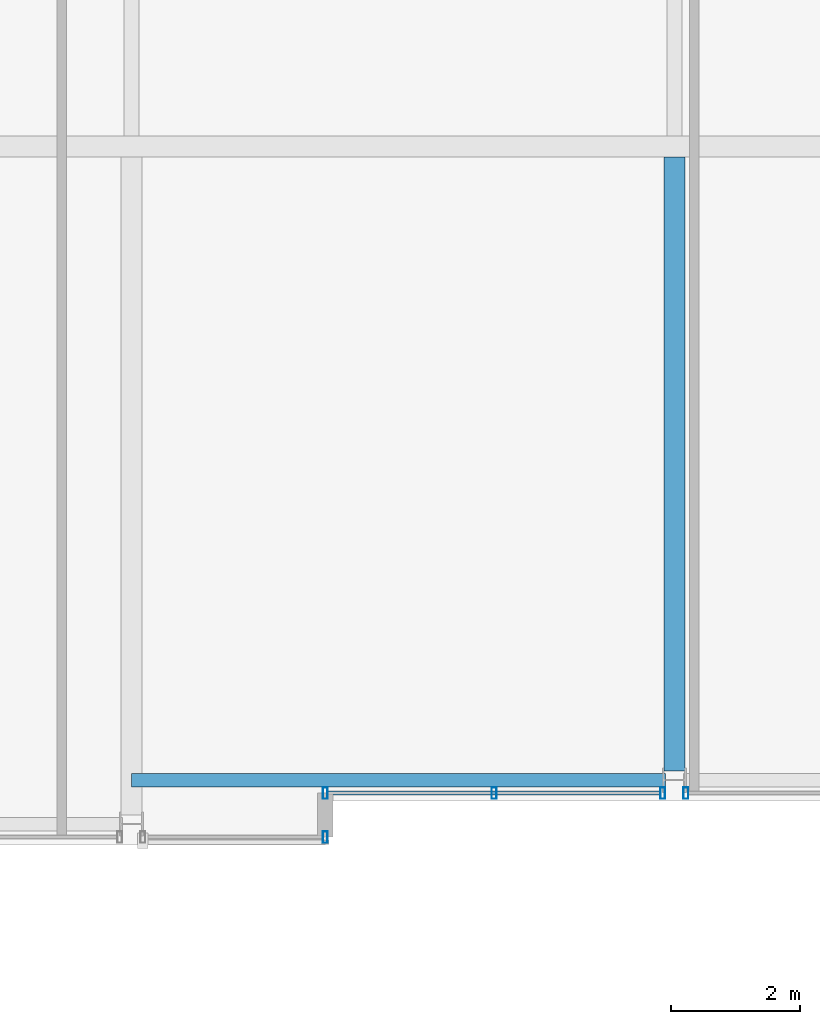
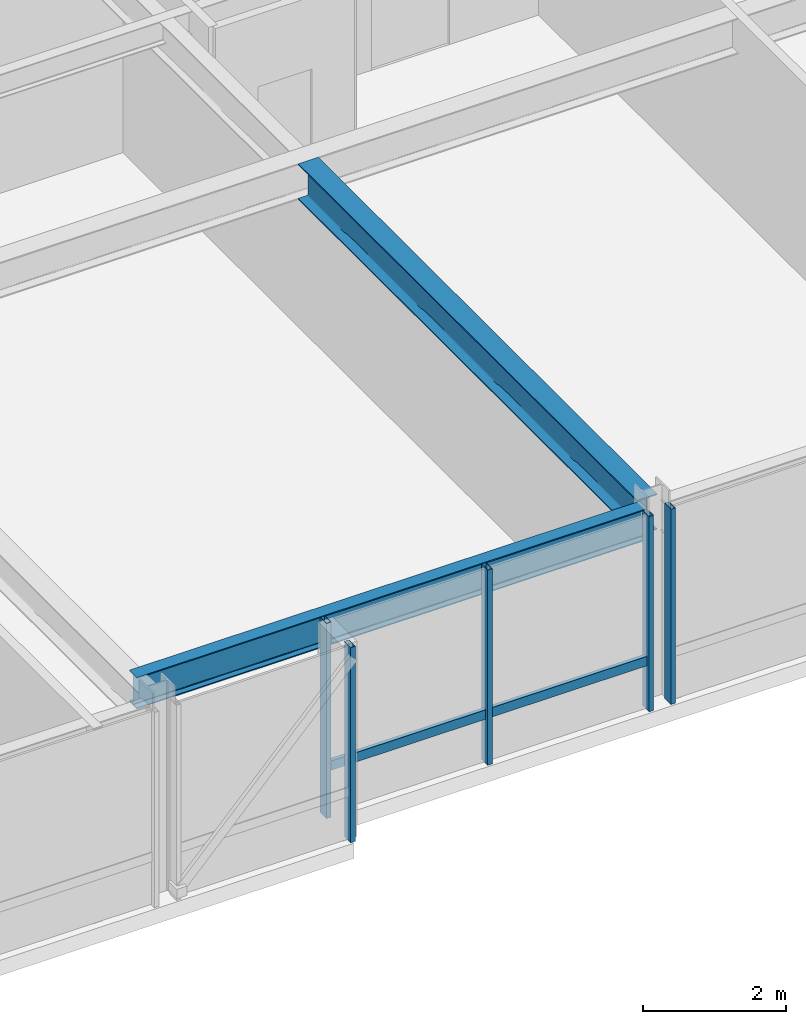
# One storey, part 7 of 32: 6 members, 2 beams, 3 elements without a shape of their own.
"""IFC4 building model written with IfcOpenShell, lengths in metres."""

from ifc_helpers import new_model, si_unit, direction, frame, origin, origin_2d, place, context, subcontext, project, spatial, hollow_rectangle, i_section, extrude, material, layer, layer_set, material_profile, profile_set, type_object, element, aggregate, save


model = new_model("IFC4")

# Units and contexts
model_context = context("Model", 3, precision=1e-05, world=origin(), true_north=direction((0.0, 1.0)))
body_context = subcontext(model_context, "Body", "Model", "MODEL_VIEW")
ifc_project = project(units=[si_unit("LENGTHUNIT", "METRE"), si_unit("AREAUNIT", "SQUARE_METRE"), si_unit("VOLUMEUNIT", "CUBIC_METRE"), si_unit("PLANEANGLEUNIT", "RADIAN"), si_unit("MASSUNIT", "GRAM", prefix="KILO")], contexts=[model_context])

# Site, building, storey
site_placement = place(None, origin())
site = spatial("IfcSite", under=ifc_project, at=site_placement, CompositionType="ELEMENT")
building_placement = place(site_placement, origin())
building = spatial("IfcBuilding", under=site, at=building_placement, Name="Drelvath Grand Hotel", CompositionType="ELEMENT")
storey_placement = place(building_placement, frame((0.0, 0.0, 237.5)))
storey = spatial("IfcBuildingStorey", under=building, at=storey_placement, Name="L62", CompositionType="ELEMENT", Elevation=237.5)

# Curtain wall, members
ifc_material_1 = material(Name="Platinum-Mist Anodised Aluminium Frame", Category="aluminium")
ifc_layer = layer(ifc_material_1, 0.199951171875)
ifc_layer_set = layer_set([ifc_layer], Name="Platinum-Mist Anodised Aluminium Frame")
curtain_wall_type = type_object("IfcCurtainWallType", Name="Stick Curtain Wall CW-05 Platinum Mist High-Rise", PredefinedType="NOTDEFINED", material=ifc_layer_set)
curtain_wall_1_placement = place(storey_placement, origin())
curtain_wall_1 = element("IfcCurtainWall", 1, at=curtain_wall_1_placement, inside=storey, type_object=curtain_wall_type, Name="L62 CW-05 Curtain Wall CW05-L62-SM1", PredefinedType="NOTDEFINED")
ifc_material_profile_1 = material_profile(ifc_material_1, hollow_rectangle(XDim=0.06494140625, YDim=0.159912109375, WallThickness=0.00390625, at=origin_2d()), Name="HSS160X65X4")
ifc_profile_set_1 = profile_set([ifc_material_profile_1], Name="Platinum-Mist Anodised Aluminium Frame")
member_type_1 = type_object("IfcMemberType", Name="Curtain Wall Horizontal Transom CW-05 HSS160X65X4", PredefinedType="USERDEFINED", material=ifc_profile_set_1)
member_1_placement = place(storey_placement, frame((-0.21826171875, 0.800048828125, 0.8349609375), z_axis=(-1.0, 0.0, 0.0), x_axis=(0.0, -1.0, 0.0)))
member_1 = element("IfcMember", 2, at=member_1_placement, type_object=member_type_1, Name="CW05-L62-SM1 Sill Transom", ObjectType="TRANSOM", PredefinedType="USERDEFINED", context=body_context, shape_type="SweptSolid", body=[
    extrude(hollow_rectangle(XDim=0.06494140625, YDim=0.159912109375, WallThickness=0.00390625, at=origin_2d()), origin(), (0.0, 0.0, 1.0), 5.141845703125),
])
ifc_material_profile_2 = material_profile(ifc_material_1, hollow_rectangle(XDim=0.074951171875, YDim=0.179931640625, WallThickness=0.0048828125, at=origin_2d()), Name="HSS180X75X5")
ifc_profile_set_2 = profile_set([ifc_material_profile_2], Name="Platinum-Mist Anodised Aluminium Frame")
member_type_2 = type_object("IfcMemberType", Name="Curtain Wall Vertical Mullion CW-05 HSS180X75X5", PredefinedType="MULLION", material=ifc_profile_set_2)
member_2_placement = place(storey_placement, frame((-0.17822265625, 0.800048828125, 0.0), z_axis=(0.0, 0.0, 1.0), x_axis=(1.0, 0.0, 0.0)))
member_2 = element("IfcMember", 3, at=member_2_placement, type_object=member_type_2, Name="CW05-L62-SM1 Mullion 1", PredefinedType="MULLION", context=body_context, shape_type="SweptSolid", body=[
    extrude(hollow_rectangle(XDim=0.074951171875, YDim=0.179931640625, WallThickness=0.0048828125, at=origin_2d()), origin(), (0.0, 0.0, 1.0), 3.340087890625),
])
member_3_placement = place(storey_placement, frame((-2.7890625, 0.800048828125, 0.0), z_axis=(0.0, 0.0, 1.0), x_axis=(1.0, 0.0, 0.0)))
member_3 = element("IfcMember", 4, at=member_3_placement, type_object=member_type_2, Name="CW05-L62-SM1 Mullion 2", PredefinedType="MULLION", context=body_context, shape_type="SweptSolid", body=[
    extrude(hollow_rectangle(XDim=0.074951171875, YDim=0.179931640625, WallThickness=0.0048828125, at=origin_2d()), origin(), (0.0, 0.0, 1.0), 3.340087890625),
])
member_4_placement = place(storey_placement, frame((-5.39990234375, 0.800048828125, 0.0), z_axis=(0.0, 0.0, 1.0), x_axis=(1.0, 0.0, 0.0)))
member_4 = element("IfcMember", 5, at=member_4_placement, type_object=member_type_2, Name="CW05-L62-SM1 Mullion 3", PredefinedType="MULLION", context=body_context, shape_type="SweptSolid", body=[
    extrude(hollow_rectangle(XDim=0.074951171875, YDim=0.179931640625, WallThickness=0.0048828125, at=origin_2d()), origin(), (0.0, 0.0, 1.0), 3.340087890625),
])
aggregate(curtain_wall_1, [member_2, member_3, member_4, member_1])

# Curtain wall, member
curtain_wall_2_placement = place(storey_placement, origin())
curtain_wall_2 = element("IfcCurtainWall", 6, at=curtain_wall_2_placement, inside=storey, type_object=curtain_wall_type, Name="L62 CW-05 Curtain Wall CW05-L62-SM2", PredefinedType="NOTDEFINED")
member_5_placement = place(storey_placement, frame((0.17822265625, 0.800048828125, 0.0), z_axis=(0.0, 0.0, 1.0), x_axis=(1.0, 0.0, 0.0)))
member_5 = element("IfcMember", 7, at=member_5_placement, type_object=member_type_2, Name="CW05-L62-SM2 Mullion 3", PredefinedType="MULLION", context=body_context, shape_type="SweptSolid", body=[
    extrude(hollow_rectangle(XDim=0.074951171875, YDim=0.179931640625, WallThickness=0.0048828125, at=origin_2d()), origin(), (0.0, 0.0, 1.0), 3.340087890625),
])
aggregate(curtain_wall_2, [member_5])

curtain_wall_3_placement = place(storey_placement, origin())
curtain_wall_3 = element("IfcCurtainWall", 8, at=curtain_wall_3_placement, inside=storey, type_object=curtain_wall_type, Name="L62 CW-05 Curtain Wall CW05-L62-SW3", PredefinedType="NOTDEFINED")
member_6_placement = place(storey_placement, frame((-5.39990234375, 0.1201171875, 0.0), z_axis=(0.0, 0.0, 1.0), x_axis=(1.0, 0.0, 0.0)))
member_6 = element("IfcMember", 9, at=member_6_placement, type_object=member_type_2, Name="CW05-L62-SW3 Mullion 1", PredefinedType="MULLION", context=body_context, shape_type="SweptSolid", body=[
    extrude(hollow_rectangle(XDim=0.074951171875, YDim=0.179931640625, WallThickness=0.0048828125, at=origin_2d()), origin(), (0.0, 0.0, 1.0), 3.340087890625),
])
aggregate(curtain_wall_3, [member_6])

# Beams
ifc_material_2 = material(Name="Steel ASTM A992 Gr 50", Category="steel")
ifc_material_profile_3 = material_profile(ifc_material_2, i_section(OverallWidth=0.210205078125, OverallDepth=0.53662109375, WebThickness=0.010986328125, FlangeThickness=0.017333984375, FilletRadius=0.01806640625, at=origin_2d()), Name="W21X68")
ifc_profile_set_3 = profile_set([ifc_material_profile_3], Name="Steel ASTM A992 Gr 50")
beam_type_1 = type_object("IfcBeamType", Name="Perimeter Spandrel Beam W21X68", PredefinedType="SPANDREL", material=ifc_profile_set_3)
beam_1_placement = place(storey_placement, frame((-8.39990234375, 1.0, 3.07177734375), z_axis=(1.0, 0.0, 0.0), x_axis=(0.0, 1.0, 0.0)))
element("IfcBeam", 10, at=beam_1_placement, inside=storey, type_object=beam_type_1, Name="L62 Spandrel South Mid W", PredefinedType="SPANDREL", context=body_context, shape_type="SweptSolid", body=[
    extrude(i_section(OverallWidth=0.210205078125, OverallDepth=0.53662109375, WebThickness=0.010986328125, FlangeThickness=0.017333984375, FilletRadius=0.01806640625, at=origin_2d()), origin(), (0.0, 0.0, 1.0), 8.260009765625),
])
ifc_material_profile_4 = material_profile(ifc_material_2, i_section(OverallWidth=0.323974609375, OverallDepth=0.611083984375, WebThickness=0.0126953125, FlangeThickness=0.01904296875, FilletRadius=0.02197265625, at=origin_2d()), Name="W24X104")
ifc_profile_set_4 = profile_set([ifc_material_profile_4], Name="Steel ASTM A992 Gr 50")
beam_type_2 = type_object("IfcBeamType", Name="Primary Floor Girder W24X104", PredefinedType="BEAM", material=ifc_profile_set_4)
beam_2_placement = place(storey_placement, frame((0.0, 1.139892578125, 3.034423828125), z_axis=(0.0, 1.0, 0.0), x_axis=(-1.0, 0.0, 0.0)))
element("IfcBeam", 11, at=beam_2_placement, inside=storey, type_object=beam_type_2, Name="L62 South Wing Girder 5", PredefinedType="BEAM", context=body_context, shape_type="SweptSolid", body=[
    extrude(i_section(OverallWidth=0.323974609375, OverallDepth=0.611083984375, WebThickness=0.0126953125, FlangeThickness=0.01904296875, FilletRadius=0.02197265625, at=origin_2d()), origin(), (0.0, 0.0, 1.0), 9.498046875),
])

save(model, "model.ifc")
